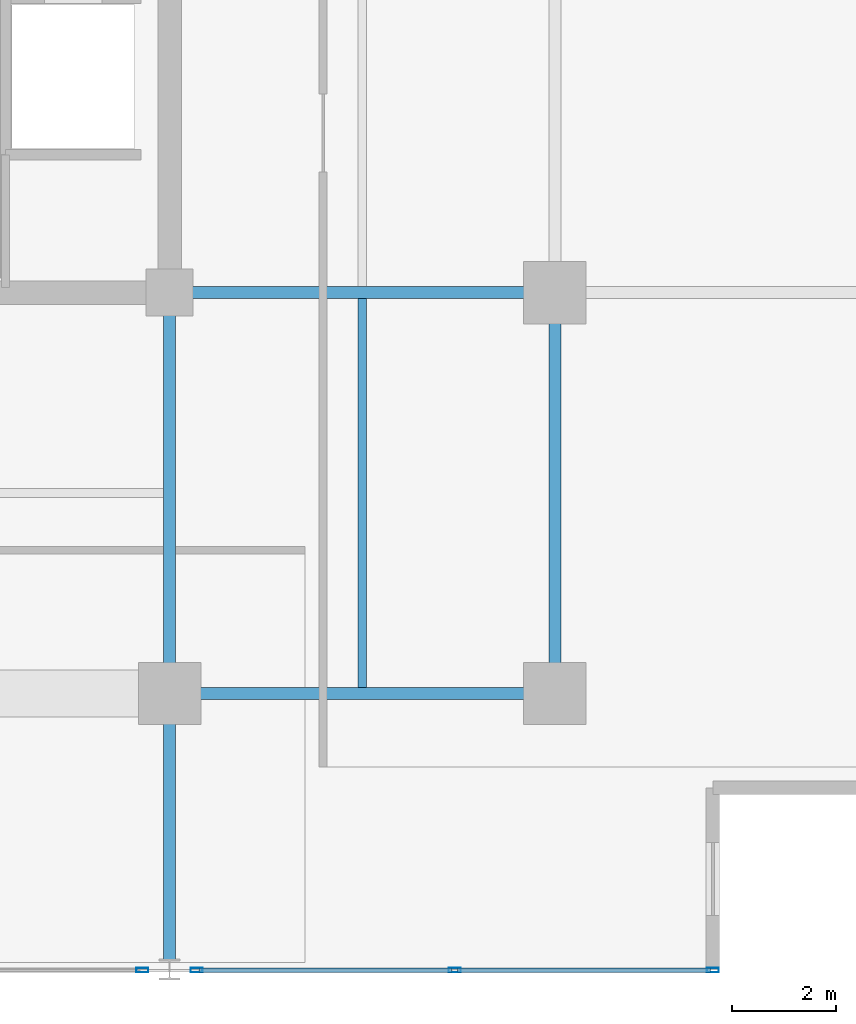
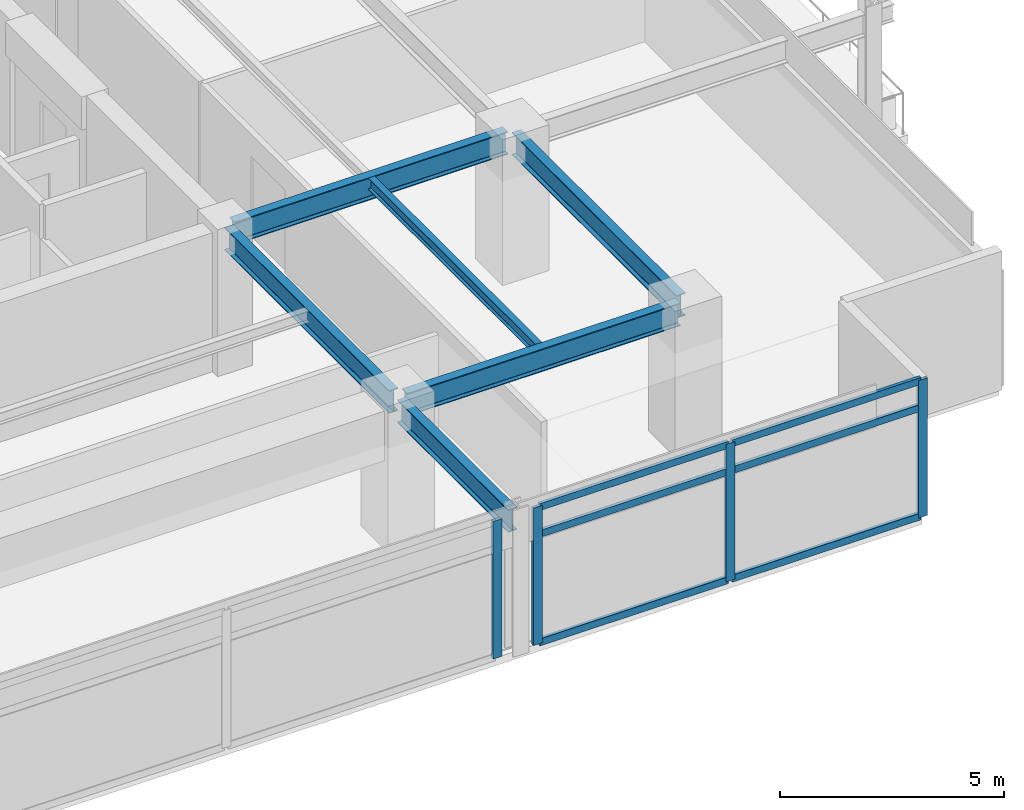
# One storey, part 9 of 20: 10 members, 6 beams, 2 elements without a shape of their own.
"""IFC4 building model written with IfcOpenShell, lengths in metres."""

from ifc_helpers import new_model, si_unit, direction, frame, origin, origin_2d, place, context, subcontext, project, spatial, hollow_rectangle, i_section, extrude, material, material_profile, profile_set, type_object, element, aggregate, save


model = new_model("IFC4")

# Units and contexts
model_context = context("Model", 3, precision=1e-05, world=origin(), true_north=direction((0.0, 1.0)))
body_context = subcontext(model_context, "Body", "Model", "MODEL_VIEW")
ifc_project = project(units=[si_unit("LENGTHUNIT", "METRE"), si_unit("AREAUNIT", "SQUARE_METRE"), si_unit("VOLUMEUNIT", "CUBIC_METRE"), si_unit("PLANEANGLEUNIT", "RADIAN"), si_unit("MASSUNIT", "GRAM", prefix="KILO")], contexts=[model_context])

# Site, building, storey
site_placement = place(None, origin())
site = spatial("IfcSite", under=ifc_project, at=site_placement, CompositionType="ELEMENT")
building_placement = place(site_placement, origin())
building = spatial("IfcBuilding", under=site, at=building_placement, Name="Kovane Verandah Tower", CompositionType="ELEMENT")
storey_placement = place(building_placement, frame((0.0, 0.0, 287.199951171875)))
storey = spatial("IfcBuildingStorey", under=building, at=storey_placement, Name="L67", CompositionType="ELEMENT", Elevation=287.199951171875)

# Beams
ifc_material_1 = material(Name="Steel S355", Category="steel")
ifc_material_profile_1 = material_profile(ifc_material_1, i_section(OverallWidth=0.230224609375, OverallDepth=0.6171875, WebThickness=0.01318359375, FlangeThickness=0.022216796875, FilletRadius=0.0126953125, at=origin_2d()), Name="UB610x229x140")
ifc_profile_set_1 = profile_set([ifc_material_profile_1], Name="Steel S355")
beam_type_1 = type_object("IfcBeamType", Name="BM-UB610x140", PredefinedType="BEAM", material=ifc_profile_set_1)
beam_1_placement = place(storey_placement, frame((51.179931640625, 10.800048828125, 3.4765625), z_axis=(1.0, 0.0, 0.0), x_axis=(0.0, 1.0, 0.0)))
element("IfcBeam", 1, at=beam_1_placement, inside=storey, type_object=beam_type_1, Name="L67 Primary Tower Girder G-RS3", PredefinedType="BEAM", context=body_context, shape_type="SweptSolid", body=[
    extrude(i_section(OverallWidth=0.230224609375, OverallDepth=0.6171875, WebThickness=0.01318359375, FlangeThickness=0.022216796875, FilletRadius=0.0126953125, at=origin_2d()), origin(), (0.0, 0.0, 1.0), 7.0400390625),
])
beam_2_placement = place(storey_placement, frame((58.39990234375, 10.97998046875, 3.4765625), z_axis=(0.0, 1.0, 0.0), x_axis=(-1.0, 0.0, 0.0)))
element("IfcBeam", 2, at=beam_2_placement, inside=storey, type_object=beam_type_1, Name="L67 Primary Tower Girder G-RE1", PredefinedType="BEAM", context=body_context, shape_type="SweptSolid", body=[
    extrude(i_section(OverallWidth=0.230224609375, OverallDepth=0.6171875, WebThickness=0.01318359375, FlangeThickness=0.022216796875, FilletRadius=0.0126953125, at=origin_2d()), origin(), (0.0, 0.0, 1.0), 7.340087890625),
])
beam_3_placement = place(storey_placement, frame((51.179931640625, 18.5, 3.4765625), z_axis=(1.0, 0.0, 0.0), x_axis=(0.0, 1.0, 0.0)))
element("IfcBeam", 3, at=beam_3_placement, inside=storey, type_object=beam_type_1, Name="L67 Primary Tower Girder G-E1", PredefinedType="BEAM", context=body_context, shape_type="SweptSolid", body=[
    extrude(i_section(OverallWidth=0.230224609375, OverallDepth=0.6171875, WebThickness=0.01318359375, FlangeThickness=0.022216796875, FilletRadius=0.0126953125, at=origin_2d()), origin(), (0.0, 0.0, 1.0), 7.0400390625),
])
beam_4_placement = place(storey_placement, frame((51.0, 18.320068359375, 3.4765625), z_axis=(0.0, -1.0, 0.0), x_axis=(1.0, 0.0, 0.0)))
element("IfcBeam", 4, at=beam_4_placement, inside=storey, type_object=beam_type_1, Name="L67 Primary Tower Girder G-S2", PredefinedType="BEAM", context=body_context, shape_type="SweptSolid", body=[
    extrude(i_section(OverallWidth=0.230224609375, OverallDepth=0.6171875, WebThickness=0.01318359375, FlangeThickness=0.022216796875, FilletRadius=0.0126953125, at=origin_2d()), origin(), (0.0, 0.0, 1.0), 7.340087890625),
])
beam_5_placement = place(storey_placement, frame((51.0, 10.6201171875, 3.451416015625), z_axis=(0.0, -1.0, 0.0), x_axis=(1.0, 0.0, 0.0)))
element("IfcBeam", 5, at=beam_5_placement, inside=storey, type_object=beam_type_1, Name="L67 Primary Tower Girder G-VS2", PredefinedType="BEAM", context=body_context, shape_type="SweptSolid", body=[
    extrude(i_section(OverallWidth=0.230224609375, OverallDepth=0.6171875, WebThickness=0.01318359375, FlangeThickness=0.022216796875, FilletRadius=0.0126953125, at=origin_2d()), origin(), (0.0, 0.0, 1.0), 4.940185546875),
])

# Curtain wall, member
ifc_material_2 = material(Name="Champagne Anodised Aluminium Frame with Low-E Clear Laminated Glass", Category="aluminium")
curtain_wall_type = type_object("IfcCurtainWallType", Name="CW-SYS-05-HIGH", PredefinedType="NOTDEFINED", material=ifc_material_2)
curtain_wall_1_placement = place(storey_placement, origin())
curtain_wall_1 = element("IfcCurtainWall", 6, at=curtain_wall_1_placement, inside=storey, type_object=curtain_wall_type, Name="L67 S Unitised Curtain Wall-2", PredefinedType="NOTDEFINED")
ifc_material_3 = material(Name="Champagne Anodised Aluminium 6063-T6", Category="aluminium")
ifc_material_profile_2 = material_profile(ifc_material_3, hollow_rectangle(XDim=0.0849609375, YDim=0.22998046875, WallThickness=0.00390625, at=origin_2d()), Name="AL85x230x4")
ifc_profile_set_2 = profile_set([ifc_material_profile_2], Name="Champagne Anodised Aluminium 6063-T6")
member_type_1 = type_object("IfcMemberType", Name="CW-MUL-85x230", PredefinedType="MULLION", material=ifc_profile_set_2)
member_1_placement = place(storey_placement, frame((50.47998046875, 5.485595703125, 0.02001953125), z_axis=(0.0, 0.0, 1.0), x_axis=(0.0, -1.0, 0.0)))
member_1 = element("IfcMember", 7, at=member_1_placement, type_object=member_type_1, Name="L67 S Unitised Curtain Wall-2 Mullion 4", PredefinedType="MULLION", context=body_context, shape_type="SweptSolid", body=[
    extrude(hollow_rectangle(XDim=0.0849609375, YDim=0.22998046875, WallThickness=0.00390625, at=origin_2d()), origin(), (0.0, 0.0, 1.0), 3.7451171875),
])
aggregate(curtain_wall_1, [member_1])

# Curtain wall, members
curtain_wall_2_placement = place(storey_placement, origin())
curtain_wall_2 = element("IfcCurtainWall", 8, at=curtain_wall_2_placement, inside=storey, type_object=curtain_wall_type, Name="L67 S Unitised Curtain Wall-3", PredefinedType="NOTDEFINED")
member_2_placement = place(storey_placement, frame((51.52001953125, 5.485595703125, 0.02001953125), z_axis=(0.0, 0.0, 1.0), x_axis=(0.0, -1.0, 0.0)))
member_2 = element("IfcMember", 9, at=member_2_placement, type_object=member_type_1, Name="L67 S Unitised Curtain Wall-3 Mullion 1", PredefinedType="MULLION", context=body_context, shape_type="SweptSolid", body=[
    extrude(hollow_rectangle(XDim=0.0849609375, YDim=0.22998046875, WallThickness=0.00390625, at=origin_2d()), origin(), (0.0, 0.0, 1.0), 3.7451171875),
])
member_3_placement = place(storey_placement, frame((56.478759765625, 5.485595703125, 0.02001953125), z_axis=(0.0, 0.0, 1.0), x_axis=(0.0, -1.0, 0.0)))
member_3 = element("IfcMember", 10, at=member_3_placement, type_object=member_type_1, Name="L67 S Unitised Curtain Wall-3 Mullion 2", PredefinedType="MULLION", context=body_context, shape_type="SweptSolid", body=[
    extrude(hollow_rectangle(XDim=0.0849609375, YDim=0.22998046875, WallThickness=0.00390625, at=origin_2d()), origin(), (0.0, 0.0, 1.0), 3.7451171875),
])
member_4_placement = place(storey_placement, frame((61.4375, 5.485595703125, 0.02001953125), z_axis=(0.0, 0.0, 1.0), x_axis=(0.0, -1.0, 0.0)))
member_4 = element("IfcMember", 11, at=member_4_placement, type_object=member_type_1, Name="L67 S Unitised Curtain Wall-3 Mullion 3", PredefinedType="MULLION", context=body_context, shape_type="SweptSolid", body=[
    extrude(hollow_rectangle(XDim=0.0849609375, YDim=0.22998046875, WallThickness=0.00390625, at=origin_2d()), origin(), (0.0, 0.0, 1.0), 3.7451171875),
])
ifc_material_profile_3 = material_profile(ifc_material_3, hollow_rectangle(XDim=0.0849609375, YDim=0.18994140625, WallThickness=0.00390625, at=origin_2d()), Name="AL85x190x4")
ifc_profile_set_3 = profile_set([ifc_material_profile_3], Name="Champagne Anodised Aluminium 6063-T6")
member_type_2 = type_object("IfcMemberType", Name="CW-TRN-85x190", PredefinedType="USERDEFINED", material=ifc_profile_set_3)
member_5_placement = place(storey_placement, frame((51.570068359375, 5.485595703125, 0.050048828125), z_axis=(1.0, 0.0, 0.0), x_axis=(0.0, 1.0, 0.0)))
member_5 = element("IfcMember", 12, at=member_5_placement, type_object=member_type_2, Name="L67 S Unitised Curtain Wall-3 Transom TB Bay 1", ObjectType="TRANSOM", PredefinedType="USERDEFINED", context=body_context, shape_type="SweptSolid", body=[
    extrude(hollow_rectangle(XDim=0.0849609375, YDim=0.18994140625, WallThickness=0.00390625, at=origin_2d()), origin(), (0.0, 0.0, 1.0), 4.858642578125),
])
member_6_placement = place(storey_placement, frame((51.570068359375, 5.485595703125, 3.005126953125), z_axis=(1.0, 0.0, 0.0), x_axis=(0.0, 1.0, 0.0)))
member_6 = element("IfcMember", 13, at=member_6_placement, type_object=member_type_2, Name="L67 S Unitised Curtain Wall-3 Transom TM Bay 1", ObjectType="TRANSOM", PredefinedType="USERDEFINED", context=body_context, shape_type="SweptSolid", body=[
    extrude(hollow_rectangle(XDim=0.0849609375, YDim=0.18994140625, WallThickness=0.00390625, at=origin_2d()), origin(), (0.0, 0.0, 1.0), 4.858642578125),
])
member_7_placement = place(storey_placement, frame((51.570068359375, 5.485595703125, 3.735107421875), z_axis=(1.0, 0.0, 0.0), x_axis=(0.0, 1.0, 0.0)))
member_7 = element("IfcMember", 14, at=member_7_placement, type_object=member_type_2, Name="L67 S Unitised Curtain Wall-3 Transom TT Bay 1", ObjectType="TRANSOM", PredefinedType="USERDEFINED", context=body_context, shape_type="SweptSolid", body=[
    extrude(hollow_rectangle(XDim=0.0849609375, YDim=0.18994140625, WallThickness=0.00390625, at=origin_2d()), origin(), (0.0, 0.0, 1.0), 4.858642578125),
])
member_8_placement = place(storey_placement, frame((56.52880859375, 5.485595703125, 0.050048828125), z_axis=(1.0, 0.0, 0.0), x_axis=(0.0, 1.0, 0.0)))
member_8 = element("IfcMember", 15, at=member_8_placement, type_object=member_type_2, Name="L67 S Unitised Curtain Wall-3 Transom TB Bay 2", ObjectType="TRANSOM", PredefinedType="USERDEFINED", context=body_context, shape_type="SweptSolid", body=[
    extrude(hollow_rectangle(XDim=0.0849609375, YDim=0.18994140625, WallThickness=0.00390625, at=origin_2d()), origin(), (0.0, 0.0, 1.0), 4.858642578125),
])
member_9_placement = place(storey_placement, frame((56.52880859375, 5.485595703125, 3.005126953125), z_axis=(1.0, 0.0, 0.0), x_axis=(0.0, 1.0, 0.0)))
member_9 = element("IfcMember", 16, at=member_9_placement, type_object=member_type_2, Name="L67 S Unitised Curtain Wall-3 Transom TM Bay 2", ObjectType="TRANSOM", PredefinedType="USERDEFINED", context=body_context, shape_type="SweptSolid", body=[
    extrude(hollow_rectangle(XDim=0.0849609375, YDim=0.18994140625, WallThickness=0.00390625, at=origin_2d()), origin(), (0.0, 0.0, 1.0), 4.858642578125),
])
member_10_placement = place(storey_placement, frame((56.52880859375, 5.485595703125, 3.735107421875), z_axis=(1.0, 0.0, 0.0), x_axis=(0.0, 1.0, 0.0)))
member_10 = element("IfcMember", 17, at=member_10_placement, type_object=member_type_2, Name="L67 S Unitised Curtain Wall-3 Transom TT Bay 2", ObjectType="TRANSOM", PredefinedType="USERDEFINED", context=body_context, shape_type="SweptSolid", body=[
    extrude(hollow_rectangle(XDim=0.0849609375, YDim=0.18994140625, WallThickness=0.00390625, at=origin_2d()), origin(), (0.0, 0.0, 1.0), 4.858642578125),
])
aggregate(curtain_wall_2, [member_2, member_3, member_4, member_5, member_6, member_7, member_8, member_9, member_10])

# Beam
ifc_material_profile_4 = material_profile(ifc_material_1, i_section(OverallWidth=0.1669921875, OverallDepth=0.310302734375, WebThickness=0.0078125, FlangeThickness=0.013671875, FilletRadius=0.0087890625, at=origin_2d()), Name="UB305x165x54")
ifc_profile_set_4 = profile_set([ifc_material_profile_4], Name="Steel S355")
beam_type_2 = type_object("IfcBeamType", Name="JST-UB305x54", PredefinedType="JOIST", material=ifc_profile_set_4)
beam_6_placement = place(storey_placement, frame((54.699951171875, 10.9130859375, 3.6298828125), z_axis=(0.0, 1.0, 0.0), x_axis=(-1.0, 0.0, 0.0)))
element("IfcBeam", 18, at=beam_6_placement, inside=storey, type_object=beam_type_2, Name="L67 Secondary Composite Joist J-SE1", PredefinedType="JOIST", context=body_context, shape_type="SweptSolid", body=[
    extrude(i_section(OverallWidth=0.1669921875, OverallDepth=0.310302734375, WebThickness=0.0078125, FlangeThickness=0.013671875, FilletRadius=0.0087890625, at=origin_2d()), origin(), (0.0, 0.0, 1.0), 7.473876953125),
])

save(model, "model.ifc")
